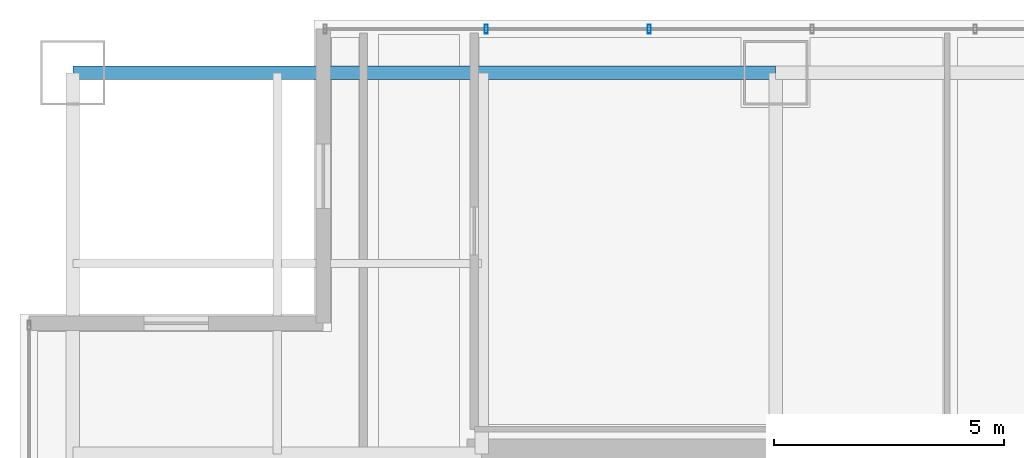
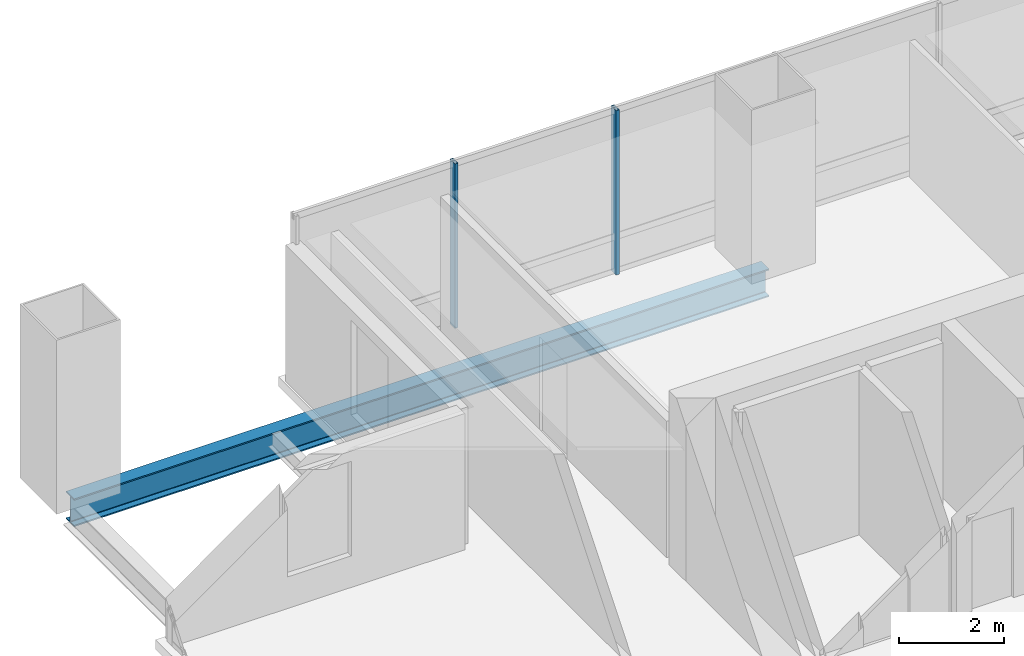
# One storey, part 22 of 36: 2 members, 1 beam, 1 element without a shape of its own.
"""IFC4 building model written with IfcOpenShell, lengths in metres."""

from ifc_helpers import new_model, si_unit, direction, frame, origin, origin_2d, place, context, subcontext, project, spatial, hollow_rectangle, i_section, extrude, material, material_profile, profile_set, type_object, element, aggregate, save


model = new_model("IFC4")

# Units and contexts
model_context = context("Model", 3, precision=1e-05, world=origin(), true_north=direction((0.0, 1.0)))
body_context = subcontext(model_context, "Body", "Model", "MODEL_VIEW")
ifc_project = project(units=[si_unit("LENGTHUNIT", "METRE"), si_unit("AREAUNIT", "SQUARE_METRE"), si_unit("VOLUMEUNIT", "CUBIC_METRE"), si_unit("PLANEANGLEUNIT", "RADIAN"), si_unit("MASSUNIT", "GRAM", prefix="KILO")], contexts=[model_context])

# Site, building, storey
site_placement = place(None, origin())
site = spatial("IfcSite", under=ifc_project, at=site_placement, CompositionType="ELEMENT")
building_placement = place(site_placement, origin())
building = spatial("IfcBuilding", under=site, at=building_placement, Name="Punatoya Terracotta Tower", CompositionType="ELEMENT")
storey_placement = place(building_placement, frame((0.0, 0.0, 228.89990234375)))
storey = spatial("IfcBuildingStorey", under=building, at=storey_placement, Name="L54", CompositionType="ELEMENT", Elevation=228.89990234375)

# Beam
ifc_material_1 = material(Name="Steel S355", Category="steel")
ifc_material_profile_1 = material_profile(ifc_material_1, i_section(OverallWidth=0.300048828125, OverallDepth=0.64990234375, WebThickness=0.01611328125, FlangeThickness=0.031005859375, FilletRadius=0.01806640625, at=origin_2d()))
ifc_profile_set_1 = profile_set([ifc_material_profile_1], Name="Steel S355")
beam_type = type_object("IfcBeamType", Name="BM-PRI-650", PredefinedType="BEAM", material=ifc_profile_set_1)
beam_placement = place(storey_placement, frame((-19.10009765625, 17.5, -0.544921875), z_axis=(1.0, 0.0, 0.0), x_axis=(0.0, 1.0, 0.0)))
element("IfcBeam", 1, at=beam_placement, inside=storey, type_object=beam_type, Name="BM-L54-RG-N1", PredefinedType="BEAM", context=body_context, shape_type="SweptSolid", body=[
    extrude(i_section(OverallWidth=0.300048828125, OverallDepth=0.64990234375, WebThickness=0.01611328125, FlangeThickness=0.031005859375, FilletRadius=0.01806640625, at=origin_2d()), origin(), (0.0, 0.0, 1.0), 15.300048828125),
])

# Curtain wall, members
ifc_material_2 = material(Name="Aluminium 6063-T6 + Double Low-E Glass", Category="aluminium")
curtain_wall_type = type_object("IfcCurtainWallType", Name="CW-M2", PredefinedType="NOTDEFINED", material=ifc_material_2)
curtain_wall_placement = place(storey_placement, origin())
curtain_wall = element("IfcCurtainWall", 2, at=curtain_wall_placement, inside=storey, type_object=curtain_wall_type, Name="L54 Curtain Wall CW-L54-N08-1", PredefinedType="NOTDEFINED")
ifc_material_3 = material(Name="Aluminium 6063-T6", Category="aluminium")
ifc_material_profile_2 = material_profile(ifc_material_3, hollow_rectangle(XDim=0.072021484375, YDim=0.195068359375, WallThickness=0.00439453125, at=origin_2d()))
ifc_profile_set_2 = profile_set([ifc_material_profile_2], Name="Aluminium 6063-T6")
member_type = type_object("IfcMemberType", Name="CW-MUL-M2", PredefinedType="MULLION", material=ifc_profile_set_2)
member_1_placement = place(storey_placement, frame((-6.552490234375, 18.449951171875, 0.0), z_axis=(0.0, 0.0, 1.0), x_axis=(1.0, 0.0, 0.0)))
member_1 = element("IfcMember", 3, at=member_1_placement, type_object=member_type, Name="CW-L54-N08-1 Mullion 08", PredefinedType="MULLION", context=body_context, shape_type="SweptSolid", body=[
    extrude(hollow_rectangle(XDim=0.072021484375, YDim=0.195068359375, WallThickness=0.00439453125, at=origin_2d()), origin(), (0.0, 0.0, 1.0), 3.830078125),
])
member_2_placement = place(storey_placement, frame((-10.101318359375, 18.449951171875, 0.0), z_axis=(0.0, 0.0, 1.0), x_axis=(1.0, 0.0, 0.0)))
member_2 = element("IfcMember", 4, at=member_2_placement, type_object=member_type, Name="CW-L54-N08-1 Mullion 09", PredefinedType="MULLION", context=body_context, shape_type="SweptSolid", body=[
    extrude(hollow_rectangle(XDim=0.072021484375, YDim=0.195068359375, WallThickness=0.00439453125, at=origin_2d()), origin(), (0.0, 0.0, 1.0), 3.830078125),
])
aggregate(curtain_wall, [member_1, member_2])

save(model, "model.ifc")
